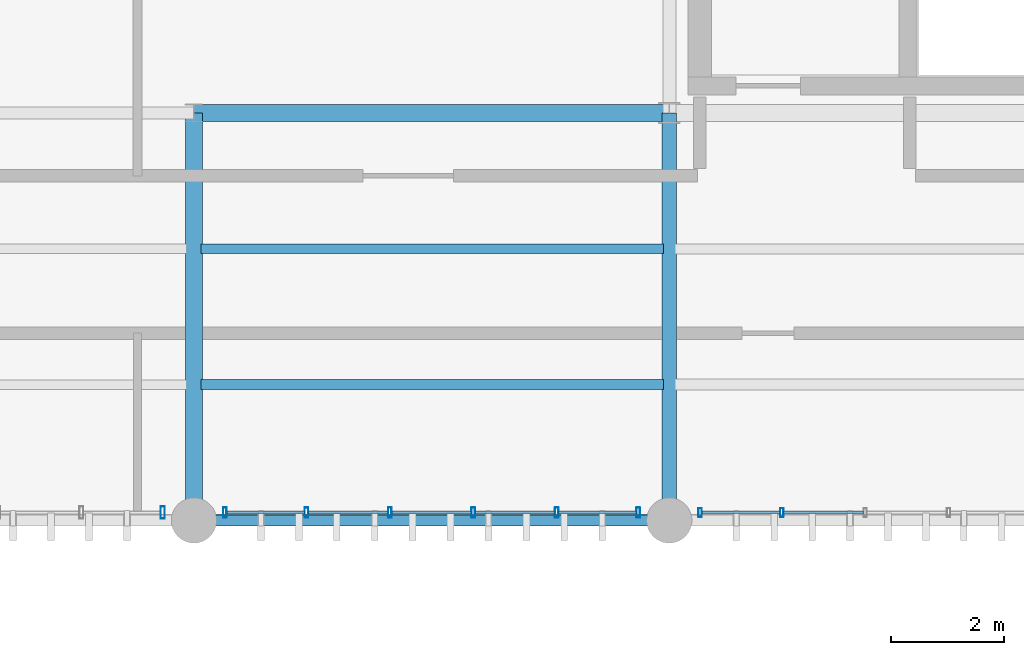
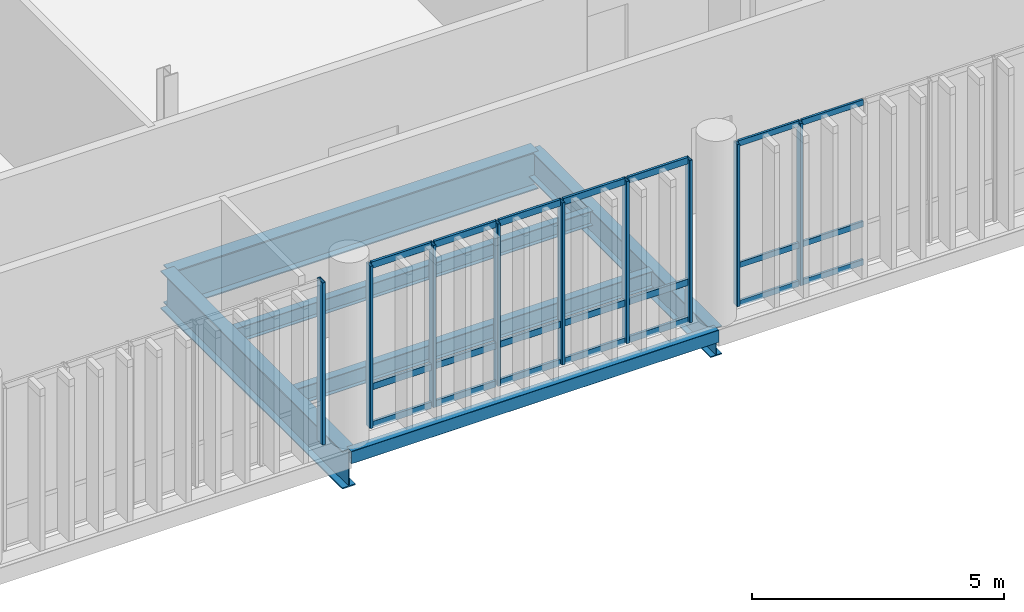
# One storey, part 27 of 68: 30 members, 6 beams, 3 elements without a shape of their own.
"""IFC4 building model written with IfcOpenShell, lengths in metres."""

from ifc_helpers import new_model, si_unit, direction, frame, origin_with_axes, origin_2d_with_axis, place, context, subcontext, project, spatial, hollow_rectangle, i_section, extrude, material, material_profile, profile_set, type_object, element, aggregate, save


model = new_model("IFC4")

# Units and contexts
model_context = context("Model", 3, precision=1e-05, world=origin_with_axes(), true_north=direction((0.0, 1.0)))
body_context = subcontext(model_context, "Body", "Model", "MODEL_VIEW")
ifc_project = project(units=[si_unit("LENGTHUNIT", "METRE"), si_unit("AREAUNIT", "SQUARE_METRE"), si_unit("VOLUMEUNIT", "CUBIC_METRE"), si_unit("PLANEANGLEUNIT", "RADIAN"), si_unit("MASSUNIT", "GRAM", prefix="KILO"), si_unit("THERMODYNAMICTEMPERATUREUNIT", "KELVIN")], contexts=[model_context])

# Site, building, storey
site_placement = place(None, origin_with_axes())
site = spatial("IfcSite", under=ifc_project, at=site_placement, CompositionType="ELEMENT")
building_placement = place(site_placement, origin_with_axes())
building = spatial("IfcBuilding", under=site, at=building_placement, Name="Montbau Bow Law Courts", CompositionType="ELEMENT")
storey_placement = place(building_placement, frame((0.0, 0.0, 20.4), z_axis=(0.0, 0.0, 1.0), x_axis=(1.0, 0.0, 0.0)))
storey = spatial("IfcBuildingStorey", under=building, at=storey_placement, Name="L04", CompositionType="ELEMENT", Elevation=20.4)

# Beams
ifc_material_1 = material(Name="Steel CSA G40.21 Grade 350W (350 MPa)", Category="steel")
ifc_material_profile_1 = material_profile(ifc_material_1, i_section(OverallWidth=0.306, OverallDepth=0.919, WebThickness=0.0173, FlangeThickness=0.0279, at=origin_2d_with_axis()), Name="W920X253", Category="Main", Priority=0)
ifc_profile_set_1 = profile_set([ifc_material_profile_1], Name="Steel CSA G40.21 Grade 350W (350 MPa)")
beam_type_1 = type_object("IfcBeamType", Name="B-FLR-01", PredefinedType="BEAM", material=ifc_profile_set_1)
beam_1_placement = place(None, frame((72.0, 46.2, 19.661), z_axis=(1.0, 0.0, 0.0), x_axis=(0.0, 1.0, 0.0)))
element("IfcBeam", 1, at=beam_1_placement, inside=storey, type_object=beam_type_1, Name="BM-L04-S0924:bm2_0927", PredefinedType="BEAM", context=body_context, shape_type="SweptSolid", body=[
    extrude(i_section(OverallWidth=0.306, OverallDepth=0.919, WebThickness=0.0173, FlangeThickness=0.0279, at=origin_2d_with_axis()), origin_with_axes(), (0.0, 0.0, 1.0), 8.4),
])
beam_2_placement = place(None, frame((72.0, 39.0, 19.661), z_axis=(0.0, 1.0, 0.0), x_axis=(-1.0, 0.0, 0.0)))
element("IfcBeam", 2, at=beam_2_placement, inside=storey, type_object=beam_type_1, Name="BM-L04-S0946:bm2_0949", PredefinedType="BEAM", context=body_context, shape_type="SweptSolid", body=[
    extrude(i_section(OverallWidth=0.306, OverallDepth=0.919, WebThickness=0.0173, FlangeThickness=0.0279, at=origin_2d_with_axis()), origin_with_axes(), (0.0, 0.0, 1.0), 7.2),
])
ifc_material_profile_2 = material_profile(ifc_material_1, i_section(OverallWidth=0.254, OverallDepth=0.688, WebThickness=0.0131, FlangeThickness=0.0211, at=origin_2d_with_axis()), Name="W690X152", Category="Main", Priority=0)
ifc_profile_set_2 = profile_set([ifc_material_profile_2], Name="Steel CSA G40.21 Grade 350W (350 MPa)")
beam_type_2 = type_object("IfcBeamType", Name="B-FLR-04", PredefinedType="BEAM", material=ifc_profile_set_2)
beam_3_placement = place(None, frame((80.4, 39.0, 19.776), z_axis=(0.0, 1.0, 0.0), x_axis=(-1.0, 0.0, 0.0)))
element("IfcBeam", 3, at=beam_3_placement, inside=storey, type_object=beam_type_2, Name="BM-L04-S0948:bm2_0951", PredefinedType="BEAM", context=body_context, shape_type="SweptSolid", body=[
    extrude(i_section(OverallWidth=0.254, OverallDepth=0.688, WebThickness=0.0131, FlangeThickness=0.0211, at=origin_2d_with_axis()), origin_with_axes(), (0.0, 0.0, 1.0), 7.2),
])
ifc_material_profile_3 = material_profile(ifc_material_1, i_section(OverallWidth=0.179, OverallDepth=0.41, WebThickness=0.0088, FlangeThickness=0.0144, at=origin_2d_with_axis()), Name="W410X67", Category="Main", Priority=0)
ifc_profile_set_3 = profile_set([ifc_material_profile_3], Name="Steel CSA G40.21 Grade 350W (350 MPa)")
beam_type_3 = type_object("IfcBeamType", Name="B-JST-02", PredefinedType="JOIST", material=ifc_profile_set_3)
beam_4_placement = place(None, frame((72.129, 41.4, 19.915), z_axis=(1.0, 0.0, 0.0), x_axis=(0.0, 1.0, 0.0)))
element("IfcBeam", 4, at=beam_4_placement, inside=storey, type_object=beam_type_3, Name="JST-L04-S0485:jst2_0485", PredefinedType="JOIST", context=body_context, shape_type="SweptSolid", body=[
    extrude(i_section(OverallWidth=0.179, OverallDepth=0.41, WebThickness=0.0088, FlangeThickness=0.0144, at=origin_2d_with_axis()), origin_with_axes(), (0.0, 0.0, 1.0), 8.168),
])
ifc_material_profile_4 = material_profile(ifc_material_1, i_section(OverallWidth=0.172, OverallDepth=0.358, WebThickness=0.0079, FlangeThickness=0.0131, at=origin_2d_with_axis()), Name="W360X57", Category="Main", Priority=0)
ifc_profile_set_4 = profile_set([ifc_material_profile_4], Name="Steel CSA G40.21 Grade 350W (350 MPa)")
beam_type_4 = type_object("IfcBeamType", Name="B-JST-03", PredefinedType="JOIST", material=ifc_profile_set_4)
beam_5_placement = place(None, frame((72.129, 43.8, 19.941), z_axis=(1.0, 0.0, 0.0), x_axis=(0.0, 1.0, 0.0)))
element("IfcBeam", 5, at=beam_5_placement, inside=storey, type_object=beam_type_4, Name="JST-L04-S0486:jst2_0486", PredefinedType="JOIST", context=body_context, shape_type="SweptSolid", body=[
    extrude(i_section(OverallWidth=0.172, OverallDepth=0.358, WebThickness=0.0079, FlangeThickness=0.0131, at=origin_2d_with_axis()), origin_with_axes(), (0.0, 0.0, 1.0), 8.168),
])
ifc_material_2 = material(Name="Steel CSA G40.21 Grade 350WT (350 MPa)", Category="steel")
ifc_material_profile_5 = material_profile(ifc_material_2, hollow_rectangle(XDim=0.203, YDim=0.305, WallThickness=0.0127, InnerFilletRadius=0.0254, OuterFilletRadius=0.0127, at=origin_2d_with_axis()), Name="HSS305X203X13", Category="Main", Priority=0)
ifc_profile_set_5 = profile_set([ifc_material_profile_5], Name="Steel CSA G40.21 Grade 350WT (350 MPa)")
beam_type_5 = type_object("IfcBeamType", Name="B-SPN-02", PredefinedType="SPANDREL", material=ifc_profile_set_5)
beam_6_placement = place(None, frame((72.0, 39.0, 19.968), z_axis=(1.0, 0.0, 0.0), x_axis=(0.0, 1.0, 0.0)))
element("IfcBeam", 6, at=beam_6_placement, inside=storey, type_object=beam_type_5, Name="SPN-L04-S0918:bm2_0921", PredefinedType="SPANDREL", context=body_context, shape_type="SweptSolid", body=[
    extrude(hollow_rectangle(XDim=0.203, YDim=0.305, WallThickness=0.0127, InnerFilletRadius=0.0254, OuterFilletRadius=0.0127, at=origin_2d_with_axis()), origin_with_axes(), (0.0, 0.0, 1.0), 8.4),
])

# Curtain wall, member
ifc_material_3 = material(Name="Thermally Broken Extruded Aluminium AA 6063-T6", Category="aluminium")
curtain_wall_type = type_object("IfcCurtainWallType", Name="CW-CRM-01", PredefinedType="NOTDEFINED", material=ifc_material_3)
curtain_wall_1_placement = place(None, frame((64.115, 39.14, 20.4), z_axis=(0.0, 0.0, 1.0), x_axis=(1.0, 0.0, 0.0)))
curtain_wall_1 = element("IfcCurtainWall", 7, at=curtain_wall_1_placement, inside=storey, type_object=curtain_wall_type, Name="CW-L04-195:cw_0195", PredefinedType="NOTDEFINED")
ifc_material_profile_6 = material_profile(ifc_material_3, hollow_rectangle(XDim=0.075, YDim=0.22, WallThickness=0.005, InnerFilletRadius=0.01, OuterFilletRadius=0.005, at=origin_2d_with_axis()), Name="CWM-220X75", Category="Main", Priority=0)
ifc_profile_set_6 = profile_set([ifc_material_profile_6], Name="Thermally Broken Extruded Aluminium AA 6063-T6")
member_type_1 = type_object("IfcMemberType", Name="M-MUL-01", PredefinedType="MULLION", material=ifc_profile_set_6)
member_1_placement = place(None, frame((71.448, 39.14, 20.4), z_axis=(0.0, 0.0, 1.0), x_axis=(1.0, 0.0, 0.0)))
member_1 = element("IfcMember", 8, at=member_1_placement, type_object=member_type_1, Name="CW-L04-195-M06:cw_0195_M06", PredefinedType="MULLION", context=body_context, shape_type="SweptSolid", body=[
    extrude(hollow_rectangle(XDim=0.075, YDim=0.22, WallThickness=0.005, InnerFilletRadius=0.01, OuterFilletRadius=0.005, at=origin_2d_with_axis()), origin_with_axes(), (0.0, 0.0, 1.0), 3.92),
])
aggregate(curtain_wall_1, [member_1])

# Curtain wall, members
curtain_wall_2_placement = place(None, frame((72.515, 39.14, 20.4), z_axis=(0.0, 0.0, 1.0), x_axis=(1.0, 0.0, 0.0)))
curtain_wall_2 = element("IfcCurtainWall", 9, at=curtain_wall_2_placement, inside=storey, type_object=curtain_wall_type, Name="CW-L04-196:cw_0196", PredefinedType="NOTDEFINED")
ifc_material_profile_7 = material_profile(ifc_material_3, hollow_rectangle(XDim=0.065, YDim=0.18, WallThickness=0.005, InnerFilletRadius=0.01, OuterFilletRadius=0.005, at=origin_2d_with_axis()), Name="CWM-180X65", Category="Main", Priority=0)
ifc_profile_set_7 = profile_set([ifc_material_profile_7], Name="Thermally Broken Extruded Aluminium AA 6063-T6")
member_type_2 = type_object("IfcMemberType", Name="M-MUL-02", PredefinedType="MULLION", material=ifc_profile_set_7)
member_2_placement = place(None, frame((72.548, 39.14, 20.4), z_axis=(0.0, 0.0, 1.0), x_axis=(1.0, 0.0, 0.0)))
member_2 = element("IfcMember", 10, at=member_2_placement, type_object=member_type_2, Name="CW-L04-196-M01:cw_0196_M01", PredefinedType="MULLION", context=body_context, shape_type="SweptSolid", body=[
    extrude(hollow_rectangle(XDim=0.065, YDim=0.18, WallThickness=0.005, InnerFilletRadius=0.01, OuterFilletRadius=0.005, at=origin_2d_with_axis()), origin_with_axes(), (0.0, 0.0, 1.0), 3.92),
])
member_3_placement = place(None, frame((73.989, 39.14, 20.4), z_axis=(0.0, 0.0, 1.0), x_axis=(1.0, 0.0, 0.0)))
member_3 = element("IfcMember", 11, at=member_3_placement, type_object=member_type_2, Name="CW-L04-196-M02:cw_0196_M02", PredefinedType="MULLION", context=body_context, shape_type="SweptSolid", body=[
    extrude(hollow_rectangle(XDim=0.065, YDim=0.18, WallThickness=0.005, InnerFilletRadius=0.01, OuterFilletRadius=0.005, at=origin_2d_with_axis()), origin_with_axes(), (0.0, 0.0, 1.0), 3.92),
])
member_4_placement = place(None, frame((75.463, 39.14, 20.4), z_axis=(0.0, 0.0, 1.0), x_axis=(1.0, 0.0, 0.0)))
member_4 = element("IfcMember", 12, at=member_4_placement, type_object=member_type_2, Name="CW-L04-196-M03:cw_0196_M03", PredefinedType="MULLION", context=body_context, shape_type="SweptSolid", body=[
    extrude(hollow_rectangle(XDim=0.065, YDim=0.18, WallThickness=0.005, InnerFilletRadius=0.01, OuterFilletRadius=0.005, at=origin_2d_with_axis()), origin_with_axes(), (0.0, 0.0, 1.0), 3.92),
])
member_5_placement = place(None, frame((76.937, 39.14, 20.4), z_axis=(0.0, 0.0, 1.0), x_axis=(1.0, 0.0, 0.0)))
member_5 = element("IfcMember", 13, at=member_5_placement, type_object=member_type_2, Name="CW-L04-196-M04:cw_0196_M04", PredefinedType="MULLION", context=body_context, shape_type="SweptSolid", body=[
    extrude(hollow_rectangle(XDim=0.065, YDim=0.18, WallThickness=0.005, InnerFilletRadius=0.01, OuterFilletRadius=0.005, at=origin_2d_with_axis()), origin_with_axes(), (0.0, 0.0, 1.0), 3.92),
])
member_6_placement = place(None, frame((78.411, 39.14, 20.4), z_axis=(0.0, 0.0, 1.0), x_axis=(1.0, 0.0, 0.0)))
member_6 = element("IfcMember", 14, at=member_6_placement, type_object=member_type_2, Name="CW-L04-196-M05:cw_0196_M05", PredefinedType="MULLION", context=body_context, shape_type="SweptSolid", body=[
    extrude(hollow_rectangle(XDim=0.065, YDim=0.18, WallThickness=0.005, InnerFilletRadius=0.01, OuterFilletRadius=0.005, at=origin_2d_with_axis()), origin_with_axes(), (0.0, 0.0, 1.0), 3.92),
])
member_7_placement = place(None, frame((79.853, 39.14, 20.4), z_axis=(0.0, 0.0, 1.0), x_axis=(1.0, 0.0, 0.0)))
member_7 = element("IfcMember", 15, at=member_7_placement, type_object=member_type_2, Name="CW-L04-196-M06:cw_0196_M06", PredefinedType="MULLION", context=body_context, shape_type="SweptSolid", body=[
    extrude(hollow_rectangle(XDim=0.065, YDim=0.18, WallThickness=0.005, InnerFilletRadius=0.01, OuterFilletRadius=0.005, at=origin_2d_with_axis()), origin_with_axes(), (0.0, 0.0, 1.0), 3.92),
])

curtain_wall_3_placement = place(None, frame((80.915, 39.14, 20.4), z_axis=(0.0, 0.0, 1.0), x_axis=(1.0, 0.0, 0.0)))
curtain_wall_3 = element("IfcCurtainWall", 16, at=curtain_wall_3_placement, inside=storey, type_object=curtain_wall_type, Name="CW-L04-197:cw_0197", PredefinedType="NOTDEFINED")
ifc_material_profile_8 = material_profile(ifc_material_3, hollow_rectangle(XDim=0.06, YDim=0.16, WallThickness=0.004, InnerFilletRadius=0.008, OuterFilletRadius=0.004, at=origin_2d_with_axis()), Name="CWM-160X60", Category="Main", Priority=0)
ifc_profile_set_8 = profile_set([ifc_material_profile_8], Name="Thermally Broken Extruded Aluminium AA 6063-T6")
member_type_3 = type_object("IfcMemberType", Name="M-MUL-03", PredefinedType="MULLION", material=ifc_profile_set_8)
member_8_placement = place(None, frame((80.945, 39.14, 20.4), z_axis=(0.0, 0.0, 1.0), x_axis=(1.0, 0.0, 0.0)))
member_8 = element("IfcMember", 17, at=member_8_placement, type_object=member_type_3, Name="CW-L04-197-M01:cw_0197_M01", PredefinedType="MULLION", context=body_context, shape_type="SweptSolid", body=[
    extrude(hollow_rectangle(XDim=0.06, YDim=0.16, WallThickness=0.004, InnerFilletRadius=0.008, OuterFilletRadius=0.004, at=origin_2d_with_axis()), origin_with_axes(), (0.0, 0.0, 1.0), 3.92),
])
member_9_placement = place(None, frame((82.389, 39.14, 20.4), z_axis=(0.0, 0.0, 1.0), x_axis=(1.0, 0.0, 0.0)))
member_9 = element("IfcMember", 18, at=member_9_placement, type_object=member_type_3, Name="CW-L04-197-M02:cw_0197_M02", PredefinedType="MULLION", context=body_context, shape_type="SweptSolid", body=[
    extrude(hollow_rectangle(XDim=0.06, YDim=0.16, WallThickness=0.004, InnerFilletRadius=0.008, OuterFilletRadius=0.004, at=origin_2d_with_axis()), origin_with_axes(), (0.0, 0.0, 1.0), 3.92),
])

# Member
ifc_material_profile_9 = material_profile(ifc_material_3, hollow_rectangle(XDim=0.06, YDim=0.16, WallThickness=0.004, InnerFilletRadius=0.008, OuterFilletRadius=0.004, at=origin_2d_with_axis()), Name="CWT-160X60", Category="Main", Priority=0)
ifc_profile_set_9 = profile_set([ifc_material_profile_9], Name="Thermally Broken Extruded Aluminium AA 6063-T6")
member_type_4 = type_object("IfcMemberType", Name="M-TRN-01", PredefinedType="USERDEFINED", material=ifc_profile_set_9)
member_10_placement = place(None, frame((72.583, 39.14, 20.43), z_axis=(1.0, 0.0, 0.0), x_axis=(0.0, 1.0, 0.0)))
member_10 = element("IfcMember", 19, at=member_10_placement, type_object=member_type_4, Name="CW-L04-196-T01-1:cw_0196_T01_1", ObjectType="TRANSOM", PredefinedType="USERDEFINED", context=body_context, shape_type="SweptSolid", body=[
    extrude(hollow_rectangle(XDim=0.06, YDim=0.16, WallThickness=0.004, InnerFilletRadius=0.008, OuterFilletRadius=0.004, at=origin_2d_with_axis()), origin_with_axes(), (0.0, 0.0, 1.0), 1.372),
])

member_11_placement = place(None, frame((72.583, 39.14, 21.35), z_axis=(1.0, 0.0, 0.0), x_axis=(0.0, 1.0, 0.0)))
member_11 = element("IfcMember", 20, at=member_11_placement, type_object=member_type_4, Name="CW-L04-196-T01-2:cw_0196_T01_2", ObjectType="TRANSOM", PredefinedType="USERDEFINED", context=body_context, shape_type="SweptSolid", body=[
    extrude(hollow_rectangle(XDim=0.06, YDim=0.16, WallThickness=0.004, InnerFilletRadius=0.008, OuterFilletRadius=0.004, at=origin_2d_with_axis()), origin_with_axes(), (0.0, 0.0, 1.0), 1.372),
])

member_12_placement = place(None, frame((72.583, 39.14, 24.29), z_axis=(1.0, 0.0, 0.0), x_axis=(0.0, 1.0, 0.0)))
member_12 = element("IfcMember", 21, at=member_12_placement, type_object=member_type_4, Name="CW-L04-196-T01-3:cw_0196_T01_3", ObjectType="TRANSOM", PredefinedType="USERDEFINED", context=body_context, shape_type="SweptSolid", body=[
    extrude(hollow_rectangle(XDim=0.06, YDim=0.16, WallThickness=0.004, InnerFilletRadius=0.008, OuterFilletRadius=0.004, at=origin_2d_with_axis()), origin_with_axes(), (0.0, 0.0, 1.0), 1.372),
])

member_13_placement = place(None, frame((74.023, 39.14, 20.43), z_axis=(1.0, 0.0, 0.0), x_axis=(0.0, 1.0, 0.0)))
member_13 = element("IfcMember", 22, at=member_13_placement, type_object=member_type_4, Name="CW-L04-196-T02-1:cw_0196_T02_1", ObjectType="TRANSOM", PredefinedType="USERDEFINED", context=body_context, shape_type="SweptSolid", body=[
    extrude(hollow_rectangle(XDim=0.06, YDim=0.16, WallThickness=0.004, InnerFilletRadius=0.008, OuterFilletRadius=0.004, at=origin_2d_with_axis()), origin_with_axes(), (0.0, 0.0, 1.0), 1.405),
])

member_14_placement = place(None, frame((74.023, 39.14, 21.35), z_axis=(1.0, 0.0, 0.0), x_axis=(0.0, 1.0, 0.0)))
member_14 = element("IfcMember", 23, at=member_14_placement, type_object=member_type_4, Name="CW-L04-196-T02-2:cw_0196_T02_2", ObjectType="TRANSOM", PredefinedType="USERDEFINED", context=body_context, shape_type="SweptSolid", body=[
    extrude(hollow_rectangle(XDim=0.06, YDim=0.16, WallThickness=0.004, InnerFilletRadius=0.008, OuterFilletRadius=0.004, at=origin_2d_with_axis()), origin_with_axes(), (0.0, 0.0, 1.0), 1.405),
])

member_15_placement = place(None, frame((74.023, 39.14, 24.29), z_axis=(1.0, 0.0, 0.0), x_axis=(0.0, 1.0, 0.0)))
member_15 = element("IfcMember", 24, at=member_15_placement, type_object=member_type_4, Name="CW-L04-196-T02-3:cw_0196_T02_3", ObjectType="TRANSOM", PredefinedType="USERDEFINED", context=body_context, shape_type="SweptSolid", body=[
    extrude(hollow_rectangle(XDim=0.06, YDim=0.16, WallThickness=0.004, InnerFilletRadius=0.008, OuterFilletRadius=0.004, at=origin_2d_with_axis()), origin_with_axes(), (0.0, 0.0, 1.0), 1.405),
])

member_16_placement = place(None, frame((75.497, 39.14, 20.43), z_axis=(1.0, 0.0, 0.0), x_axis=(0.0, 1.0, 0.0)))
member_16 = element("IfcMember", 25, at=member_16_placement, type_object=member_type_4, Name="CW-L04-196-T03-1:cw_0196_T03_1", ObjectType="TRANSOM", PredefinedType="USERDEFINED", context=body_context, shape_type="SweptSolid", body=[
    extrude(hollow_rectangle(XDim=0.06, YDim=0.16, WallThickness=0.004, InnerFilletRadius=0.008, OuterFilletRadius=0.004, at=origin_2d_with_axis()), origin_with_axes(), (0.0, 0.0, 1.0), 1.406),
])

member_17_placement = place(None, frame((75.497, 39.14, 21.35), z_axis=(1.0, 0.0, 0.0), x_axis=(0.0, 1.0, 0.0)))
member_17 = element("IfcMember", 26, at=member_17_placement, type_object=member_type_4, Name="CW-L04-196-T03-2:cw_0196_T03_2", ObjectType="TRANSOM", PredefinedType="USERDEFINED", context=body_context, shape_type="SweptSolid", body=[
    extrude(hollow_rectangle(XDim=0.06, YDim=0.16, WallThickness=0.004, InnerFilletRadius=0.008, OuterFilletRadius=0.004, at=origin_2d_with_axis()), origin_with_axes(), (0.0, 0.0, 1.0), 1.406),
])

member_18_placement = place(None, frame((75.497, 39.14, 24.29), z_axis=(1.0, 0.0, 0.0), x_axis=(0.0, 1.0, 0.0)))
member_18 = element("IfcMember", 27, at=member_18_placement, type_object=member_type_4, Name="CW-L04-196-T03-3:cw_0196_T03_3", ObjectType="TRANSOM", PredefinedType="USERDEFINED", context=body_context, shape_type="SweptSolid", body=[
    extrude(hollow_rectangle(XDim=0.06, YDim=0.16, WallThickness=0.004, InnerFilletRadius=0.008, OuterFilletRadius=0.004, at=origin_2d_with_axis()), origin_with_axes(), (0.0, 0.0, 1.0), 1.406),
])

member_19_placement = place(None, frame((76.971, 39.14, 20.43), z_axis=(1.0, 0.0, 0.0), x_axis=(0.0, 1.0, 0.0)))
member_19 = element("IfcMember", 28, at=member_19_placement, type_object=member_type_4, Name="CW-L04-196-T04-1:cw_0196_T04_1", ObjectType="TRANSOM", PredefinedType="USERDEFINED", context=body_context, shape_type="SweptSolid", body=[
    extrude(hollow_rectangle(XDim=0.06, YDim=0.16, WallThickness=0.004, InnerFilletRadius=0.008, OuterFilletRadius=0.004, at=origin_2d_with_axis()), origin_with_axes(), (0.0, 0.0, 1.0), 1.406),
])

member_20_placement = place(None, frame((76.971, 39.14, 21.35), z_axis=(1.0, 0.0, 0.0), x_axis=(0.0, 1.0, 0.0)))
member_20 = element("IfcMember", 29, at=member_20_placement, type_object=member_type_4, Name="CW-L04-196-T04-2:cw_0196_T04_2", ObjectType="TRANSOM", PredefinedType="USERDEFINED", context=body_context, shape_type="SweptSolid", body=[
    extrude(hollow_rectangle(XDim=0.06, YDim=0.16, WallThickness=0.004, InnerFilletRadius=0.008, OuterFilletRadius=0.004, at=origin_2d_with_axis()), origin_with_axes(), (0.0, 0.0, 1.0), 1.406),
])

member_21_placement = place(None, frame((76.971, 39.14, 24.29), z_axis=(1.0, 0.0, 0.0), x_axis=(0.0, 1.0, 0.0)))
member_21 = element("IfcMember", 30, at=member_21_placement, type_object=member_type_4, Name="CW-L04-196-T04-3:cw_0196_T04_3", ObjectType="TRANSOM", PredefinedType="USERDEFINED", context=body_context, shape_type="SweptSolid", body=[
    extrude(hollow_rectangle(XDim=0.06, YDim=0.16, WallThickness=0.004, InnerFilletRadius=0.008, OuterFilletRadius=0.004, at=origin_2d_with_axis()), origin_with_axes(), (0.0, 0.0, 1.0), 1.406),
])

member_22_placement = place(None, frame((78.445, 39.14, 20.43), z_axis=(1.0, 0.0, 0.0), x_axis=(0.0, 1.0, 0.0)))
member_22 = element("IfcMember", 31, at=member_22_placement, type_object=member_type_4, Name="CW-L04-196-T05-1:cw_0196_T05_1", ObjectType="TRANSOM", PredefinedType="USERDEFINED", context=body_context, shape_type="SweptSolid", body=[
    extrude(hollow_rectangle(XDim=0.06, YDim=0.16, WallThickness=0.004, InnerFilletRadius=0.008, OuterFilletRadius=0.004, at=origin_2d_with_axis()), origin_with_axes(), (0.0, 0.0, 1.0), 1.374),
])

member_23_placement = place(None, frame((78.445, 39.14, 21.35), z_axis=(1.0, 0.0, 0.0), x_axis=(0.0, 1.0, 0.0)))
member_23 = element("IfcMember", 32, at=member_23_placement, type_object=member_type_4, Name="CW-L04-196-T05-2:cw_0196_T05_2", ObjectType="TRANSOM", PredefinedType="USERDEFINED", context=body_context, shape_type="SweptSolid", body=[
    extrude(hollow_rectangle(XDim=0.06, YDim=0.16, WallThickness=0.004, InnerFilletRadius=0.008, OuterFilletRadius=0.004, at=origin_2d_with_axis()), origin_with_axes(), (0.0, 0.0, 1.0), 1.374),
])

member_24_placement = place(None, frame((78.445, 39.14, 24.29), z_axis=(1.0, 0.0, 0.0), x_axis=(0.0, 1.0, 0.0)))
member_24 = element("IfcMember", 33, at=member_24_placement, type_object=member_type_4, Name="CW-L04-196-T05-3:cw_0196_T05_3", ObjectType="TRANSOM", PredefinedType="USERDEFINED", context=body_context, shape_type="SweptSolid", body=[
    extrude(hollow_rectangle(XDim=0.06, YDim=0.16, WallThickness=0.004, InnerFilletRadius=0.008, OuterFilletRadius=0.004, at=origin_2d_with_axis()), origin_with_axes(), (0.0, 0.0, 1.0), 1.374),
])

aggregate(curtain_wall_2, [member_2, member_3, member_4, member_5, member_6, member_7, member_10, member_11, member_12, member_13, member_14, member_15, member_16, member_17, member_18, member_19, member_20, member_21, member_22, member_23, member_24])

ifc_material_profile_10 = material_profile(ifc_material_3, hollow_rectangle(XDim=0.055, YDim=0.14, WallThickness=0.004, InnerFilletRadius=0.008, OuterFilletRadius=0.004, at=origin_2d_with_axis()), Name="CWT-140X55", Category="Main", Priority=0)
ifc_profile_set_10 = profile_set([ifc_material_profile_10], Name="Thermally Broken Extruded Aluminium AA 6063-T6")
member_type_5 = type_object("IfcMemberType", Name="M-TRN-02", PredefinedType="USERDEFINED", material=ifc_profile_set_10)
member_25_placement = place(None, frame((80.977, 39.14, 20.427), z_axis=(1.0, 0.0, 0.0), x_axis=(0.0, 1.0, 0.0)))
member_25 = element("IfcMember", 34, at=member_25_placement, type_object=member_type_5, Name="CW-L04-197-T01-1:cw_0197_T01_1", ObjectType="TRANSOM", PredefinedType="USERDEFINED", context=body_context, shape_type="SweptSolid", body=[
    extrude(hollow_rectangle(XDim=0.055, YDim=0.14, WallThickness=0.004, InnerFilletRadius=0.008, OuterFilletRadius=0.004, at=origin_2d_with_axis()), origin_with_axes(), (0.0, 0.0, 1.0), 1.38),
])

member_26_placement = place(None, frame((80.977, 39.14, 21.35), z_axis=(1.0, 0.0, 0.0), x_axis=(0.0, 1.0, 0.0)))
member_26 = element("IfcMember", 35, at=member_26_placement, type_object=member_type_5, Name="CW-L04-197-T01-2:cw_0197_T01_2", ObjectType="TRANSOM", PredefinedType="USERDEFINED", context=body_context, shape_type="SweptSolid", body=[
    extrude(hollow_rectangle(XDim=0.055, YDim=0.14, WallThickness=0.004, InnerFilletRadius=0.008, OuterFilletRadius=0.004, at=origin_2d_with_axis()), origin_with_axes(), (0.0, 0.0, 1.0), 1.38),
])

member_27_placement = place(None, frame((80.977, 39.14, 24.293), z_axis=(1.0, 0.0, 0.0), x_axis=(0.0, 1.0, 0.0)))
member_27 = element("IfcMember", 36, at=member_27_placement, type_object=member_type_5, Name="CW-L04-197-T01-3:cw_0197_T01_3", ObjectType="TRANSOM", PredefinedType="USERDEFINED", context=body_context, shape_type="SweptSolid", body=[
    extrude(hollow_rectangle(XDim=0.055, YDim=0.14, WallThickness=0.004, InnerFilletRadius=0.008, OuterFilletRadius=0.004, at=origin_2d_with_axis()), origin_with_axes(), (0.0, 0.0, 1.0), 1.38),
])

member_28_placement = place(None, frame((82.421, 39.14, 20.427), z_axis=(1.0, 0.0, 0.0), x_axis=(0.0, 1.0, 0.0)))
member_28 = element("IfcMember", 37, at=member_28_placement, type_object=member_type_5, Name="CW-L04-197-T02-1:cw_0197_T02_1", ObjectType="TRANSOM", PredefinedType="USERDEFINED", context=body_context, shape_type="SweptSolid", body=[
    extrude(hollow_rectangle(XDim=0.055, YDim=0.14, WallThickness=0.004, InnerFilletRadius=0.008, OuterFilletRadius=0.004, at=origin_2d_with_axis()), origin_with_axes(), (0.0, 0.0, 1.0), 1.41),
])

member_29_placement = place(None, frame((82.421, 39.14, 21.35), z_axis=(1.0, 0.0, 0.0), x_axis=(0.0, 1.0, 0.0)))
member_29 = element("IfcMember", 38, at=member_29_placement, type_object=member_type_5, Name="CW-L04-197-T02-2:cw_0197_T02_2", ObjectType="TRANSOM", PredefinedType="USERDEFINED", context=body_context, shape_type="SweptSolid", body=[
    extrude(hollow_rectangle(XDim=0.055, YDim=0.14, WallThickness=0.004, InnerFilletRadius=0.008, OuterFilletRadius=0.004, at=origin_2d_with_axis()), origin_with_axes(), (0.0, 0.0, 1.0), 1.41),
])

member_30_placement = place(None, frame((82.421, 39.14, 24.293), z_axis=(1.0, 0.0, 0.0), x_axis=(0.0, 1.0, 0.0)))
member_30 = element("IfcMember", 39, at=member_30_placement, type_object=member_type_5, Name="CW-L04-197-T02-3:cw_0197_T02_3", ObjectType="TRANSOM", PredefinedType="USERDEFINED", context=body_context, shape_type="SweptSolid", body=[
    extrude(hollow_rectangle(XDim=0.055, YDim=0.14, WallThickness=0.004, InnerFilletRadius=0.008, OuterFilletRadius=0.004, at=origin_2d_with_axis()), origin_with_axes(), (0.0, 0.0, 1.0), 1.41),
])

aggregate(curtain_wall_3, [member_8, member_9, member_25, member_26, member_27, member_28, member_29, member_30])

save(model, "model.ifc")
